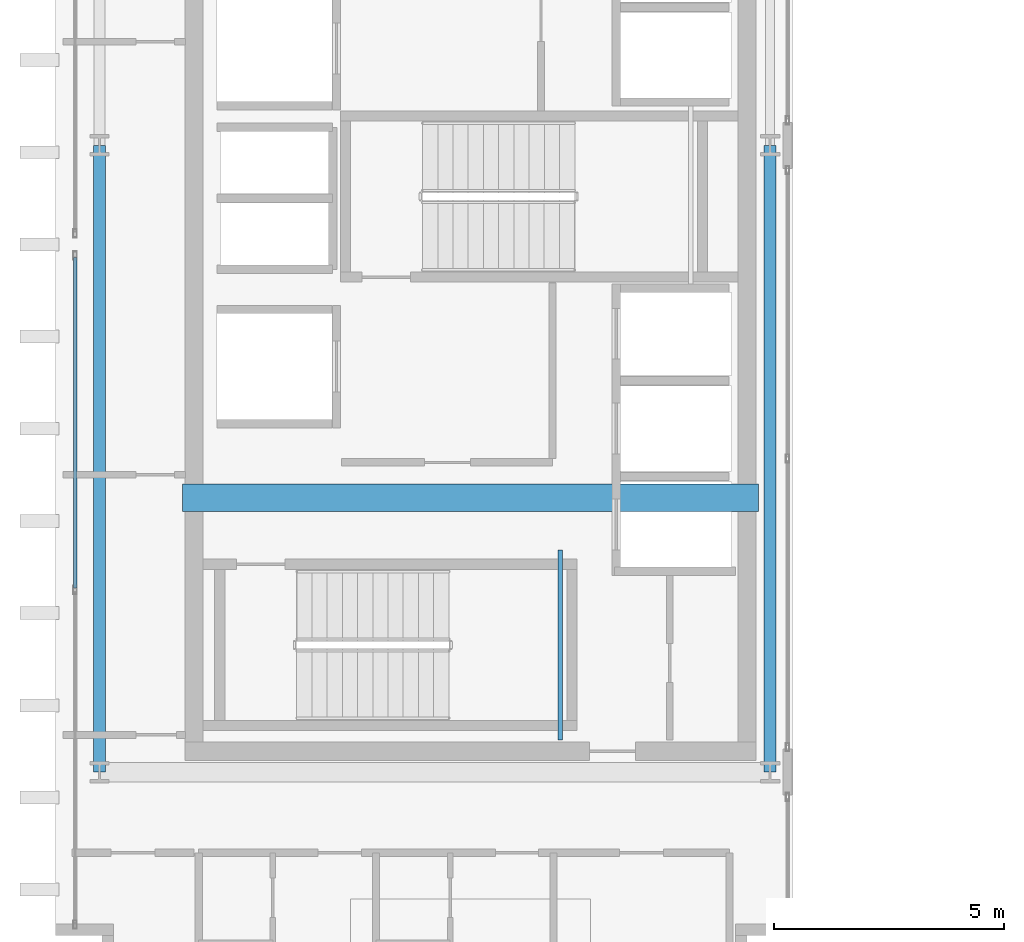
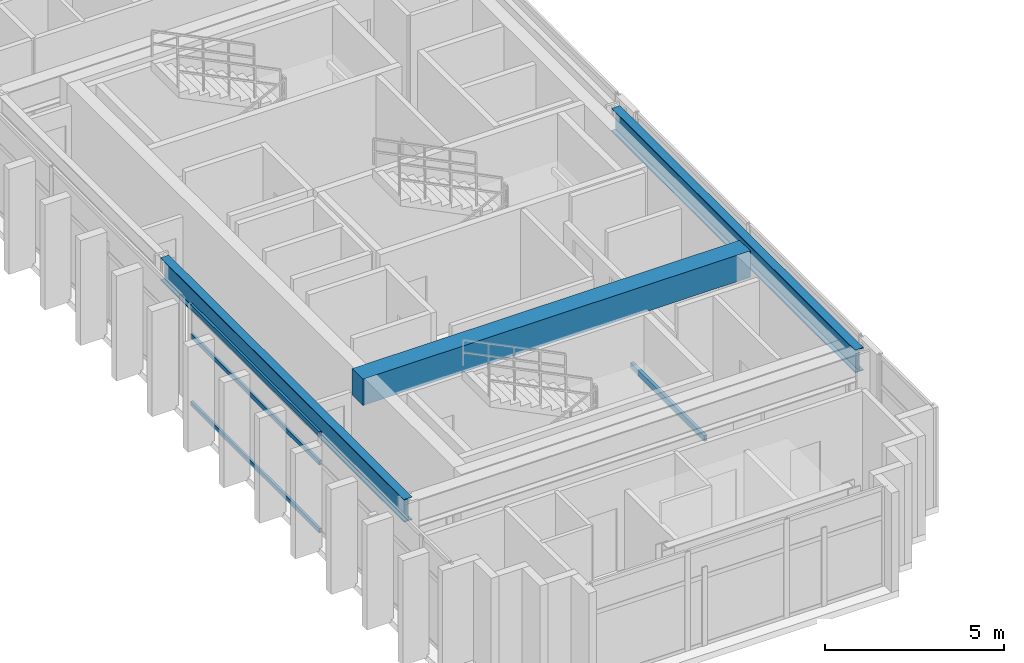
# One storey, part 3 of 25: 4 beams, 3 members, 1 element without a shape of its own.
"""IFC4 building model written with IfcOpenShell, lengths in metres."""

from ifc_helpers import new_model, si_unit, direction, frame, origin, origin_2d, place, context, subcontext, project, spatial, rectangle, hollow_rectangle, i_section, extrude, source, transform, mapped, material, layer, layer_set, material_profile, profile_set, type_object, element, aggregate, save


model = new_model("IFC4")

# Units and contexts
model_context = context("Model", 3, precision=1e-05, world=origin(), true_north=direction((0.0, 1.0)))
body_context = subcontext(model_context, "Body", "Model", "MODEL_VIEW")
ifc_project = project(units=[si_unit("LENGTHUNIT", "METRE"), si_unit("AREAUNIT", "SQUARE_METRE"), si_unit("VOLUMEUNIT", "CUBIC_METRE"), si_unit("PLANEANGLEUNIT", "RADIAN"), si_unit("MASSUNIT", "GRAM", prefix="KILO")], contexts=[model_context])

# Site, building, storey
site_placement = place(None, origin())
site = spatial("IfcSite", under=ifc_project, at=site_placement, CompositionType="ELEMENT")
building_placement = place(site_placement, origin())
building = spatial("IfcBuilding", under=site, at=building_placement, Name="Ocotamira Hotel", CompositionType="ELEMENT")
storey_placement = place(building_placement, frame((0.0, 0.0, 265.199951171875)))
storey = spatial("IfcBuildingStorey", under=building, at=storey_placement, Name="L67", CompositionType="ELEMENT", Elevation=265.199951171875)

# Beams
ifc_material_1 = material(Name="Concrete C50/60", Category="concrete")
ifc_material_profile_1 = material_profile(ifc_material_1, rectangle(XDim=0.60009765625, YDim=0.89990234375, at=origin_2d()), Name="RC600X900")
ifc_profile_set_1 = profile_set([ifc_material_profile_1], Name="Concrete C50/60")
beam_type_1 = type_object("IfcBeamType", Name="BM-LINK-RC600", PredefinedType="LINTEL", material=ifc_profile_set_1)
shared_shape_1 = source(origin(), body_context, "Body", "SweptSolid", [
    extrude(rectangle(XDim=0.60009765625, YDim=0.89990234375, at=origin_2d()), origin(), (0.0, 0.0, 1.0), 12.5),
])
beam_1_placement = place(storey_placement, frame((10.75, 20.5, 2.929931640625), z_axis=(1.0, 0.0, 0.0), x_axis=(0.0, 1.0, 0.0)))
element("IfcBeam", 1, at=beam_1_placement, inside=storey, type_object=beam_type_1, Name="L67 West Core Coupling Beam", PredefinedType="LINTEL", context=body_context, shape_type="MappedRepresentation", body=[
    mapped(shared_shape_1, transform((0.0, 0.0, 0.0), scale=1.0)),
])
ifc_material_2 = material(Name="Steel ASTM A500 Grade C", Category="steel")
ifc_material_profile_2 = material_profile(ifc_material_2, hollow_rectangle(XDim=0.10009765625, YDim=0.199951171875, WallThickness=0.008056640625, at=origin_2d()), Name="HSS200X100X8")
ifc_profile_set_2 = profile_set([ifc_material_profile_2], Name="Steel ASTM A500 Grade C")
beam_type_2 = type_object("IfcBeamType", Name="BM-STLDG-HSS200", PredefinedType="BEAM", material=ifc_profile_set_2)
shared_shape_2 = source(origin(), body_context, "Body", "SweptSolid", [
    extrude(hollow_rectangle(XDim=0.10009765625, YDim=0.199951171875, WallThickness=0.008056640625, at=origin_2d()), origin(), (0.0, 0.0, 1.0), 4.1201171875),
])
beam_2_placement = place(storey_placement, frame((18.949951171875, 15.25, 1.5), z_axis=(0.0, 1.0, 0.0), x_axis=(-1.0, 0.0, 0.0)))
element("IfcBeam", 2, at=beam_2_placement, inside=storey, type_object=beam_type_2, Name="L67 Stair ST-1 Landing Bearer 1", PredefinedType="BEAM", context=body_context, shape_type="MappedRepresentation", body=[
    mapped(shared_shape_2, transform((0.0, 0.0, 0.0), scale=1.0)),
])
ifc_material_3 = material(Name="Steel ASTM A992 Grade 50", Category="steel")
ifc_material_profile_3 = material_profile(ifc_material_3, i_section(OverallWidth=0.26611328125, OverallDepth=0.779052734375, WebThickness=0.0166015625, FlangeThickness=0.030029296875, FilletRadius=0.01806640625, at=origin_2d()), Name="W30X148")
ifc_profile_set_3 = profile_set([ifc_material_profile_3], Name="Steel ASTM A992 Grade 50")
beam_type_3 = type_object("IfcBeamType", Name="BM-GIRD-W30X148", PredefinedType="BEAM", material=ifc_profile_set_3)
shared_shape_3 = source(origin(), body_context, "Body", "SweptSolid", [
    extrude(i_section(OverallWidth=0.26611328125, OverallDepth=0.779052734375, WebThickness=0.0166015625, FlangeThickness=0.030029296875, FilletRadius=0.01806640625, at=origin_2d()), origin(), (0.0, 0.0, 1.0), 13.599853515625),
])
for number, where, z_axis, x_axis, name in (
    (3, (8.949951171875, 14.550048828125, 2.990478515625), (0.0, 1.0, 0.0), (-1.0, 0.0, 0.0), "L67 Beam X8.95 Y14.55-28.15"),
    (4, (23.5, 14.550048828125, 2.990478515625), (0.0, 1.0, 0.0), (-1.0, 0.0, 0.0), "L67 Beam X23.5 Y14.55-28.15"),
):
    element("IfcBeam", number, at=place(storey_placement, frame(where, z_axis=z_axis, x_axis=x_axis)), inside=storey, type_object=beam_type_3, Name=name, PredefinedType="BEAM", context=body_context, shape_type="MappedRepresentation", body=[
        mapped(shared_shape_3, transform((0.0, 0.0, 0.0), scale=1.0)),
    ])

# Curtain wall, members
ifc_material_4 = material(Name="Anodised pale-metal aluminium and solar glass", Category="aluminium")
ifc_layer = layer(ifc_material_4, 0.2099609375)
ifc_layer_set = layer_set([ifc_layer], Name="Anodised pale-metal aluminium and solar glass")
curtain_wall_type = type_object("IfcCurtainWallType", Name="CW-SYS7-PEAK", PredefinedType="NOTDEFINED", material=ifc_layer_set)
curtain_wall_placement = place(storey_placement, origin())
curtain_wall = element("IfcCurtainWall", 5, at=curtain_wall_placement, inside=storey, type_object=curtain_wall_type, Name="L67 Curtain Wall CW-7 CW-L67-WO1", PredefinedType="NOTDEFINED")
ifc_material_5 = material(Name="Anodised pale-metal aluminium 6063-T6", Category="aluminium")
ifc_material_profile_4 = material_profile(ifc_material_5, hollow_rectangle(XDim=0.074951171875, YDim=0.14990234375, WallThickness=0.006103515625, at=origin_2d()), Name="HSS150X75X6")
ifc_profile_set_4 = profile_set([ifc_material_profile_4], Name="Anodised pale-metal aluminium 6063-T6")
member_type = type_object("IfcMemberType", Name="CWT-150X75", PredefinedType="USERDEFINED", material=ifc_profile_set_4)
shared_shape_4 = source(origin(), body_context, "Body", "SweptSolid", [
    extrude(hollow_rectangle(XDim=0.074951171875, YDim=0.14990234375, WallThickness=0.006103515625, at=origin_2d()), origin(), (0.0, 0.0, 1.0), 7.179931640625),
])
member_1_placement = place(storey_placement, frame((8.419921875, 18.5400390625, 0.03759765625), z_axis=(0.0, 1.0, 0.0), x_axis=(-1.0, 0.0, 0.0)))
member_1 = element("IfcMember", 6, at=member_1_placement, type_object=member_type, Name="CW-7 transom 2.1", ObjectType="TRANSOM", PredefinedType="USERDEFINED", context=body_context, shape_type="MappedRepresentation", body=[
    mapped(shared_shape_4, transform((0.0, 0.0, 0.0), scale=1.0)),
])
member_2_placement = place(storey_placement, frame((8.419921875, 18.5400390625, 2.35009765625), z_axis=(0.0, 1.0, 0.0), x_axis=(-1.0, 0.0, 0.0)))
member_2 = element("IfcMember", 7, at=member_2_placement, type_object=member_type, Name="CW-7 transom 2.2", ObjectType="TRANSOM", PredefinedType="USERDEFINED", context=body_context, shape_type="MappedRepresentation", body=[
    mapped(shared_shape_4, transform((0.0, 0.0, 0.0), scale=1.0)),
])
member_3_placement = place(storey_placement, frame((8.419921875, 18.5400390625, 3.342529296875), z_axis=(0.0, 1.0, 0.0), x_axis=(-1.0, 0.0, 0.0)))
member_3 = element("IfcMember", 8, at=member_3_placement, type_object=member_type, Name="CW-7 transom 2.3", ObjectType="TRANSOM", PredefinedType="USERDEFINED", context=body_context, shape_type="MappedRepresentation", body=[
    mapped(shared_shape_4, transform((0.0, 0.0, 0.0), scale=1.0)),
])
aggregate(curtain_wall, [member_1, member_2, member_3])

save(model, "model.ifc")
